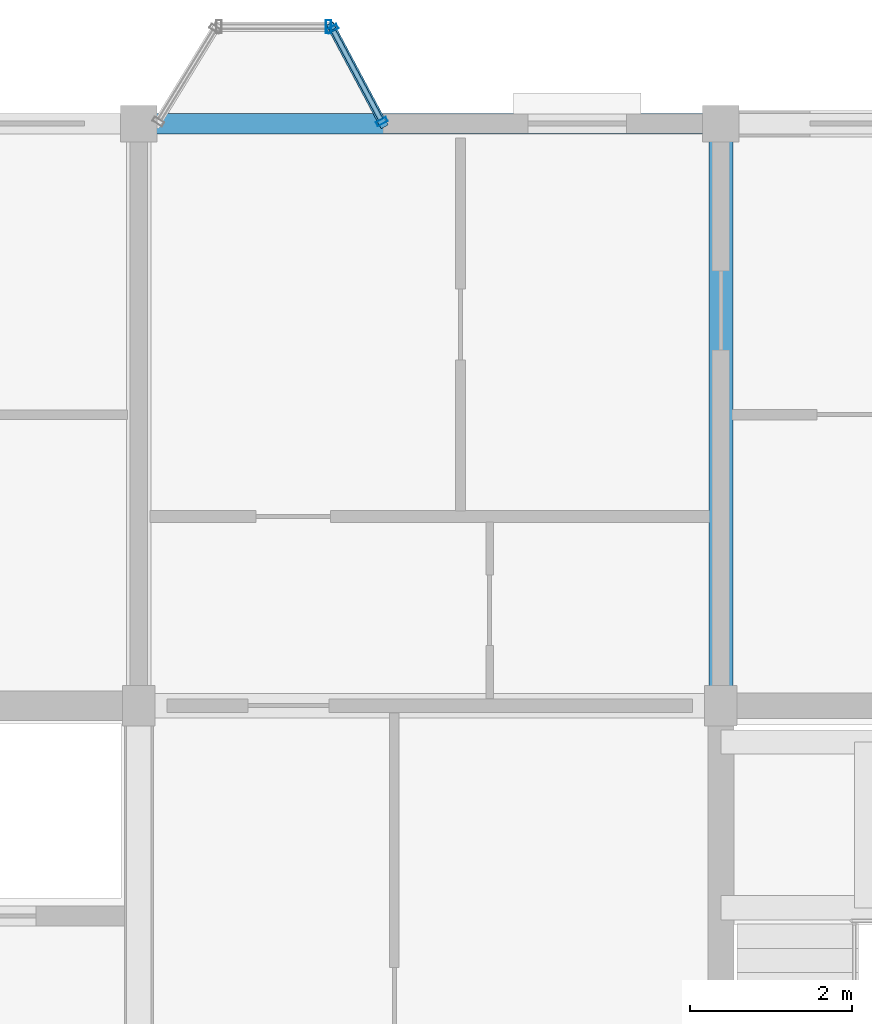
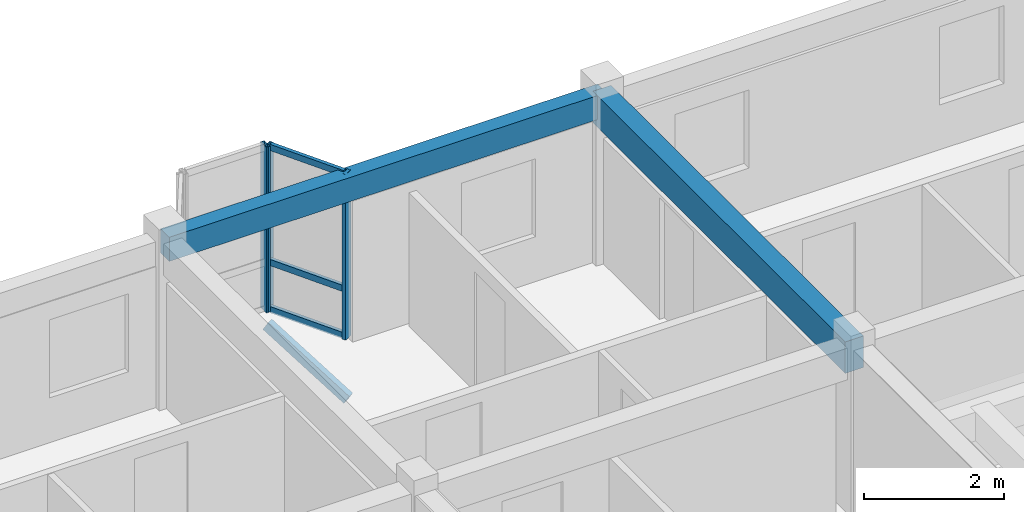
# One storey, part 20 of 40: 7 members, 2 beams, 2 elements without a shape of their own.
"""IFC4 building model written with IfcOpenShell, lengths in metres."""

from ifc_helpers import new_model, si_unit, direction, frame, origin, origin_2d, place, context, subcontext, project, spatial, rectangle, hollow_rectangle, extrude, material, layer, layer_set, material_profile, profile_set, type_object, element, aggregate, save


model = new_model("IFC4")

# Units and contexts
model_context = context("Model", 3, precision=1e-05, world=origin(), true_north=direction((0.0, 1.0)))
body_context = subcontext(model_context, "Body", "Model", "MODEL_VIEW")
ifc_project = project(units=[si_unit("LENGTHUNIT", "METRE"), si_unit("AREAUNIT", "SQUARE_METRE"), si_unit("VOLUMEUNIT", "CUBIC_METRE"), si_unit("PLANEANGLEUNIT", "RADIAN"), si_unit("MASSUNIT", "GRAM", prefix="KILO"), si_unit("THERMODYNAMICTEMPERATUREUNIT", "KELVIN"), si_unit("POWERUNIT", "WATT")], contexts=[model_context])

# Site, building, storey
site_placement = place(None, origin())
site = spatial("IfcSite", under=ifc_project, at=site_placement, CompositionType="ELEMENT")
building_placement = place(site_placement, origin())
building = spatial("IfcBuilding", under=site, at=building_placement, Name="Tavuni Mirador Residences", CompositionType="ELEMENT")
storey_placement = place(building_placement, frame((0.0, 0.0, 36.0)))
storey = spatial("IfcBuildingStorey", under=building, at=storey_placement, Name="L11", CompositionType="ELEMENT", Elevation=36.0)

# Beams
ifc_material_1 = material(Name="Precast concrete C40/50", Category="concrete")
ifc_material_profile_1 = material_profile(ifc_material_1, rectangle(XDim=0.300048828125, YDim=0.550048828125, at=origin_2d()), Name="PC 300x550", Category="concrete")
ifc_profile_set_1 = profile_set([ifc_material_profile_1], Name="Precast concrete C40/50")
beam_type_1 = type_object("IfcBeamType", Name="BT-B550", PredefinedType="BEAM", material=ifc_profile_set_1)
beam_1_placement = place(storey_placement, frame((39.60009765625, 165.60009765625, 2.610107421875), z_axis=(0.0, 1.0, 0.0), x_axis=(-1.0, 0.0, 0.0)))
element("IfcBeam", 1, at=beam_1_placement, inside=storey, type_object=beam_type_1, Name="BMY-BLK-C-L11-03-02", PredefinedType="BEAM", context=body_context, shape_type="SweptSolid", body=[
    extrude(rectangle(XDim=0.300048828125, YDim=0.550048828125, at=origin_2d()), origin(), (0.0, 0.0, 1.0), 7.199951171875),
])
ifc_material_profile_2 = material_profile(ifc_material_1, rectangle(XDim=0.25, YDim=0.419921875, at=origin_2d()), Name="PC 250x420", Category="concrete")
ifc_profile_set_2 = profile_set([ifc_material_profile_2], Name="Precast concrete C40/50")
beam_type_2 = type_object("IfcBeamType", Name="BT-SP420", PredefinedType="SPANDREL", material=ifc_profile_set_2)
beam_2_placement = place(storey_placement, frame((32.39990234375, 172.800048828125, 2.675048828125), z_axis=(1.0, 0.0, 0.0), x_axis=(0.0, 1.0, 0.0)))
element("IfcBeam", 2, at=beam_2_placement, inside=storey, type_object=beam_type_2, Name="BMX-BLK-C-L11-02-03", PredefinedType="SPANDREL", context=body_context, shape_type="SweptSolid", body=[
    extrude(rectangle(XDim=0.25, YDim=0.419921875, at=origin_2d()), origin(), (0.0, 0.0, 1.0), 7.2001953125),
])

# Curtain wall, members
ifc_material_2 = material(Name="Anodised aluminium", Category="aluminium")
ifc_layer_1 = layer(ifc_material_2, 0.175048828125, Name="Anodised aluminium", Category="aluminium")
ifc_layer_set_1 = layer_set([ifc_layer_1], Name="Anodised aluminium")
curtain_wall_type_1 = type_object("IfcCurtainWallType", Name="CWT-MIR-C", PredefinedType="NOTDEFINED", material=ifc_layer_set_1)
curtain_wall_1_placement = place(storey_placement, origin())
curtain_wall_1 = element("IfcCurtainWall", 3, at=curtain_wall_1_placement, inside=storey, type_object=curtain_wall_type_1, Name="CW-MIR-C-N2-L11-M1", PredefinedType="NOTDEFINED")
ifc_material_profile_3 = material_profile(ifc_material_2, hollow_rectangle(XDim=0.06005859375, YDim=0.139892578125, WallThickness=0.00390625, at=origin_2d()), Name="ALU 60x140x4.0", Category="aluminium")
ifc_profile_set_3 = profile_set([ifc_material_profile_3], Name="Anodised aluminium")
member_type_1 = type_object("IfcMemberType", Name="CWM-140", PredefinedType="MULLION", material=ifc_profile_set_3)
member_1_placement = place(storey_placement, frame((35.40576171875, 172.826416015625, 0.0), z_axis=(0.0, 0.0, 1.0), x_axis=(-0.470588235296, 0.882352941175, 0.0)))
member_1 = element("IfcMember", 4, at=member_1_placement, type_object=member_type_1, Name="CW-03 mullion 1", PredefinedType="MULLION", context=body_context, shape_type="SweptSolid", body=[
    extrude(hollow_rectangle(XDim=0.06005859375, YDim=0.139892578125, WallThickness=0.00390625, at=origin_2d()), origin(), (0.0, 0.0, 1.0), 2.885009765625),
])
member_2_placement = place(storey_placement, frame((34.794189453125, 173.9736328125, 0.0), z_axis=(0.0, 0.0, 1.0), x_axis=(-0.470588235296, 0.882352941175, 0.0)))
member_2 = element("IfcMember", 5, at=member_2_placement, type_object=member_type_1, Name="CW-03 mullion 2", PredefinedType="MULLION", context=body_context, shape_type="SweptSolid", body=[
    extrude(hollow_rectangle(XDim=0.06005859375, YDim=0.139892578125, WallThickness=0.00390625, at=origin_2d()), origin(), (0.0, 0.0, 1.0), 2.885009765625),
])

# Curtain wall, member
ifc_layer_2 = layer(ifc_material_2, 0.159912109375, Name="Anodised aluminium", Category="aluminium")
ifc_layer_set_2 = layer_set([ifc_layer_2], Name="Anodised aluminium")
curtain_wall_type_2 = type_object("IfcCurtainWallType", Name="CWT-MIR-D", PredefinedType="NOTDEFINED", material=ifc_layer_set_2)
curtain_wall_2_placement = place(storey_placement, origin())
curtain_wall_2 = element("IfcCurtainWall", 6, at=curtain_wall_2_placement, inside=storey, type_object=curtain_wall_type_2, Name="CW-MIR-C-N2-L11-MF", PredefinedType="NOTDEFINED")
ifc_material_profile_4 = material_profile(ifc_material_2, hollow_rectangle(XDim=0.06494140625, YDim=0.1650390625, WallThickness=0.00439453125, at=origin_2d()), Name="ALU 65x165x4.5", Category="aluminium")
ifc_profile_set_4 = profile_set([ifc_material_profile_4], Name="Anodised aluminium")
member_type_2 = type_object("IfcMemberType", Name="CWM-165", PredefinedType="MULLION", material=ifc_profile_set_4)
member_3_placement = place(storey_placement, frame((34.74755859375, 174.0, 0.0), z_axis=(0.0, 0.0, 1.0), x_axis=(-1.0, 0.0, 0.0)))
member_3 = element("IfcMember", 7, at=member_3_placement, type_object=member_type_2, Name="CW-04 mullion 1", PredefinedType="MULLION", context=body_context, shape_type="SweptSolid", body=[
    extrude(hollow_rectangle(XDim=0.06494140625, YDim=0.1650390625, WallThickness=0.00439453125, at=origin_2d()), origin(), (0.0, 0.0, 1.0), 2.885009765625),
])
aggregate(curtain_wall_2, [member_3])

# Member
ifc_material_profile_5 = material_profile(ifc_material_2, hollow_rectangle(XDim=0.06005859375, YDim=0.110107421875, WallThickness=0.00390625, at=origin_2d()), Name="ALU 60x110x4.0", Category="aluminium")
ifc_profile_set_5 = profile_set([ifc_material_profile_5], Name="Anodised aluminium")
member_type_3 = type_object("IfcMemberType", Name="CWT-110", PredefinedType="USERDEFINED", material=ifc_profile_set_5)
member_4_placement = place(storey_placement, frame((35.391845703125, 172.85302734375, 0.030029296875), z_axis=(-0.470608675382, 0.882342039492, 0.0), x_axis=(-0.882342039492, -0.470608675382, 0.0)))
member_4 = element("IfcMember", 8, at=member_4_placement, type_object=member_type_3, Name="CW-03 transom 1.1", ObjectType="TRANSOM", PredefinedType="USERDEFINED", context=body_context, shape_type="SweptSolid", body=[
    extrude(hollow_rectangle(XDim=0.06005859375, YDim=0.110107421875, WallThickness=0.00390625, at=origin_2d()), origin(), (0.0, 0.0, 1.0), 1.239990234375),
])

member_5_placement = place(storey_placement, frame((35.391845703125, 172.85302734375, 0.85009765625), z_axis=(-0.470608675382, 0.882342039492, 0.0), x_axis=(-0.882342039492, -0.470608675382, 0.0)))
member_5 = element("IfcMember", 9, at=member_5_placement, type_object=member_type_3, Name="CW-03 transom 1.2", ObjectType="TRANSOM", PredefinedType="USERDEFINED", context=body_context, shape_type="SweptSolid", body=[
    extrude(hollow_rectangle(XDim=0.06005859375, YDim=0.110107421875, WallThickness=0.00390625, at=origin_2d()), origin(), (0.0, 0.0, 1.0), 1.239990234375),
])

member_6_placement = place(storey_placement, frame((35.391845703125, 172.85302734375, 2.85498046875), z_axis=(-0.470608675382, 0.882342039492, 0.0), x_axis=(-0.882342039492, -0.470608675382, 0.0)))
member_6 = element("IfcMember", 10, at=member_6_placement, type_object=member_type_3, Name="CW-03 transom 1.3", ObjectType="TRANSOM", PredefinedType="USERDEFINED", context=body_context, shape_type="SweptSolid", body=[
    extrude(hollow_rectangle(XDim=0.06005859375, YDim=0.110107421875, WallThickness=0.00390625, at=origin_2d()), origin(), (0.0, 0.0, 1.0), 1.239990234375),
])

aggregate(curtain_wall_1, [member_1, member_2, member_4, member_5, member_6])

ifc_material_3 = material(Name="Structural steel S355", Category="steel")
ifc_material_profile_6 = material_profile(ifc_material_3, hollow_rectangle(XDim=0.10009765625, YDim=0.179931640625, WallThickness=0.008056640625, at=origin_2d()), Name="RHS 180x100x8.0", Category="steel")
ifc_profile_set_6 = profile_set([ifc_material_profile_6], Name="Structural steel S355")
member_type_4 = type_object("IfcMemberType", Name="MT-BR-RHS180", PredefinedType="BRACE", material=ifc_profile_set_6)
member_7_placement = place(storey_placement, frame((35.419921875, 172.800048828125, -1.050048828125), z_axis=(-0.407499208462, 0.764158187558, 0.500006659448), x_axis=(-0.882377788047, -0.47054164445, 0.0)))
element("IfcMember", 11, at=member_7_placement, inside=storey, type_object=member_type_4, Name="MBRK-MIR-C-N2-L11-2", PredefinedType="BRACE", context=body_context, shape_type="SweptSolid", body=[
    extrude(hollow_rectangle(XDim=0.10009765625, YDim=0.179931640625, WallThickness=0.008056640625, at=origin_2d()), origin(), (0.0, 0.0, 1.0), 1.5703125),
])

save(model, "model.ifc")
